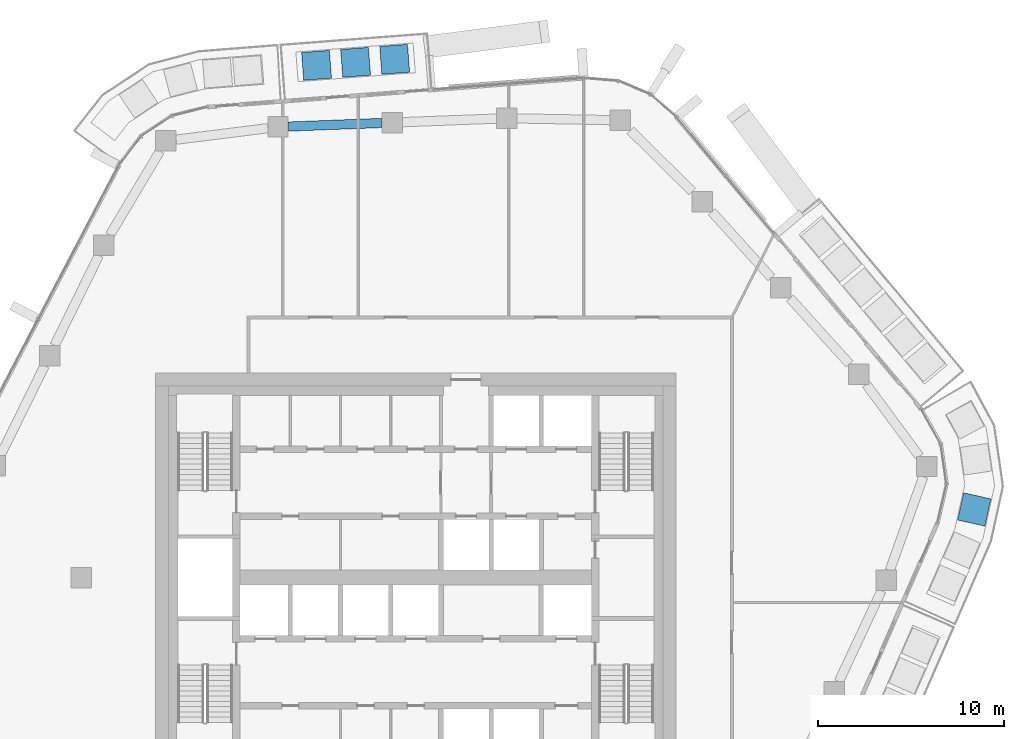
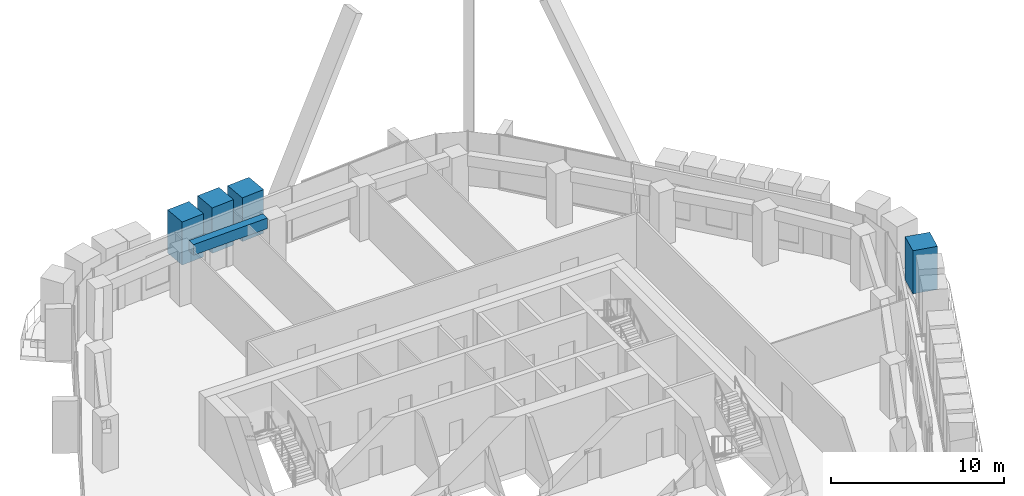
# One storey, part 7 of 20: 4 members, 1 beam.
"""IFC4 building model written with IfcOpenShell, lengths in metres."""

from ifc_helpers import new_model, si_unit, direction, frame, origin, origin_2d, place, context, subcontext, project, spatial, rectangle, extrude, material, material_profile, profile_set, type_object, element, save


model = new_model("IFC4")

# Units and contexts
model_context = context("Model", 3, precision=1e-05, world=origin(), true_north=direction((0.0, 1.0)))
body_context = subcontext(model_context, "Body", "Model", "MODEL_VIEW")
ifc_project = project(units=[si_unit("LENGTHUNIT", "METRE"), si_unit("AREAUNIT", "SQUARE_METRE"), si_unit("VOLUMEUNIT", "CUBIC_METRE"), si_unit("PLANEANGLEUNIT", "RADIAN"), si_unit("MASSUNIT", "GRAM", prefix="KILO")], contexts=[model_context])

# Site, building, storey
site_placement = place(None, origin())
site = spatial("IfcSite", under=ifc_project, at=site_placement, CompositionType="ELEMENT")
building_placement = place(site_placement, origin())
building = spatial("IfcBuilding", under=site, at=building_placement, Name="Dongbaek Canopy Tower", CompositionType="ELEMENT")
storey_placement = place(building_placement, frame((0.0, 0.0, 241.199951171875)))
storey = spatial("IfcBuildingStorey", under=building, at=storey_placement, Name="L50", CompositionType="ELEMENT", Elevation=241.199951171875)

# Beam
ifc_material_1 = material(Name="Concrete C70", Category="concrete")
ifc_material_profile_1 = material_profile(ifc_material_1, rectangle(XDim=0.5, YDim=0.75, at=origin_2d()), Name="RC EDGE BEAM 500x750 C70")
ifc_profile_set_1 = profile_set([ifc_material_profile_1], Name="Concrete C70")
beam_type = type_object("IfcBeamType", Name="RC EDGE BEAM 500x750 C70", PredefinedType="BEAM", material=ifc_profile_set_1)
beam_placement = place(storey_placement, frame((-6.864990234375, 24.26416015625, 3.445068359375), z_axis=(0.999263812988, 0.038364463397, 0.0), x_axis=(-0.038364463397, 0.999263812988, 0.0)))
element("IfcBeam", 1, at=beam_placement, inside=storey, type_object=beam_type, Name="EDGEBEAM:L50:14", PredefinedType="BEAM", context=body_context, shape_type="SweptSolid", body=[
    extrude(rectangle(XDim=0.5, YDim=0.75, at=origin_2d()), origin(), (0.0, 0.0, 1.0), 5.052734375),
])

# Members
ifc_material_2 = material(Name="Concrete C40/50 planter mass with planting", Category="concrete")
ifc_material_profile_2 = material_profile(ifc_material_2, rectangle(XDim=1.5, YDim=1.5, at=origin_2d()), Name="Terrace PLANTER shrub mass 1500 x 1500")
ifc_profile_set_2 = profile_set([ifc_material_profile_2], Name="Concrete C40/50 planter mass with planting")
member_type = type_object("IfcMemberType", Name="Terrace PLANTER shrub mass 1500 x 1500", PredefinedType="USERDEFINED", material=ifc_profile_set_2)
member_1_placement = place(storey_placement, frame((-1.139892578125, 27.880126953125, 0.420166015625), z_axis=(0.0, 0.0, 1.0), x_axis=(-0.076518262748, 0.997068179949, 0.0)))
element("IfcMember", 2, at=member_1_placement, inside=storey, type_object=member_type, Name="Planter shrubs L50 2.1", ObjectType="PLANTER", PredefinedType="USERDEFINED", context=body_context, shape_type="SweptSolid", body=[
    extrude(rectangle(XDim=1.5, YDim=1.5, at=origin_2d()), origin(), (0.0, 0.0, 1.0), 3.08984375),
])
member_2_placement = place(storey_placement, frame((-3.240966796875, 27.718994140625, 0.420166015625), z_axis=(0.0, 0.0, 1.0), x_axis=(-0.076518262748, 0.997068179949, 0.0)))
element("IfcMember", 3, at=member_2_placement, inside=storey, type_object=member_type, Name="Planter shrubs L50 2.2", ObjectType="PLANTER", PredefinedType="USERDEFINED", context=body_context, shape_type="SweptSolid", body=[
    extrude(rectangle(XDim=1.5, YDim=1.5, at=origin_2d()), origin(), (0.0, 0.0, 1.0), 3.2099609375),
])
for number, where, z_axis, x_axis, name in (
    (4, (-5.342041015625, 27.5576171875, 0.420166015625), (0.0, 0.0, 1.0), (-0.076518262748, 0.997068179949, 0.0), "Planter shrubs L50 2.3"),
    (5, (30.03955078125, 3.665771484375, 0.420166015625), (0.0, 0.0, 1.0), (0.976147244167, -0.217109552313, 0.0), "Planter shrubs L50 6.3"),
):
    element("IfcMember", number, at=place(storey_placement, frame(where, z_axis=z_axis, x_axis=x_axis)), inside=storey, type_object=member_type, Name=name, ObjectType="PLANTER", PredefinedType="USERDEFINED", context=body_context, shape_type="SweptSolid", body=[
        extrude(rectangle(XDim=1.5, YDim=1.5, at=origin_2d()), origin(), (0.0, 0.0, 1.0), 3.0498046875),
    ])

save(model, "model.ifc")
